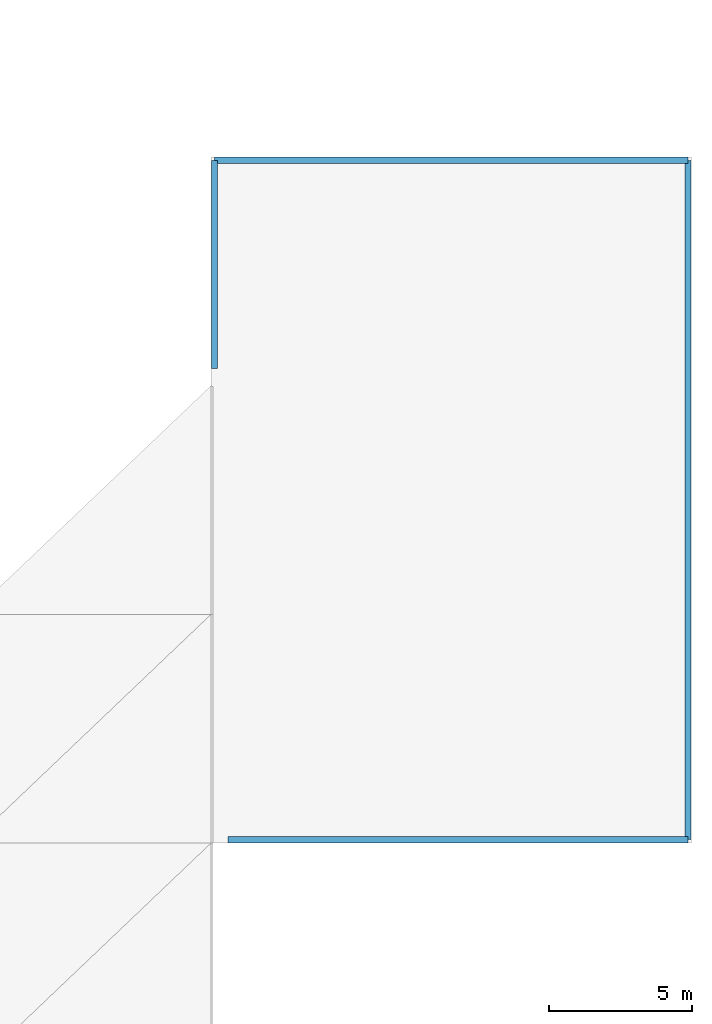
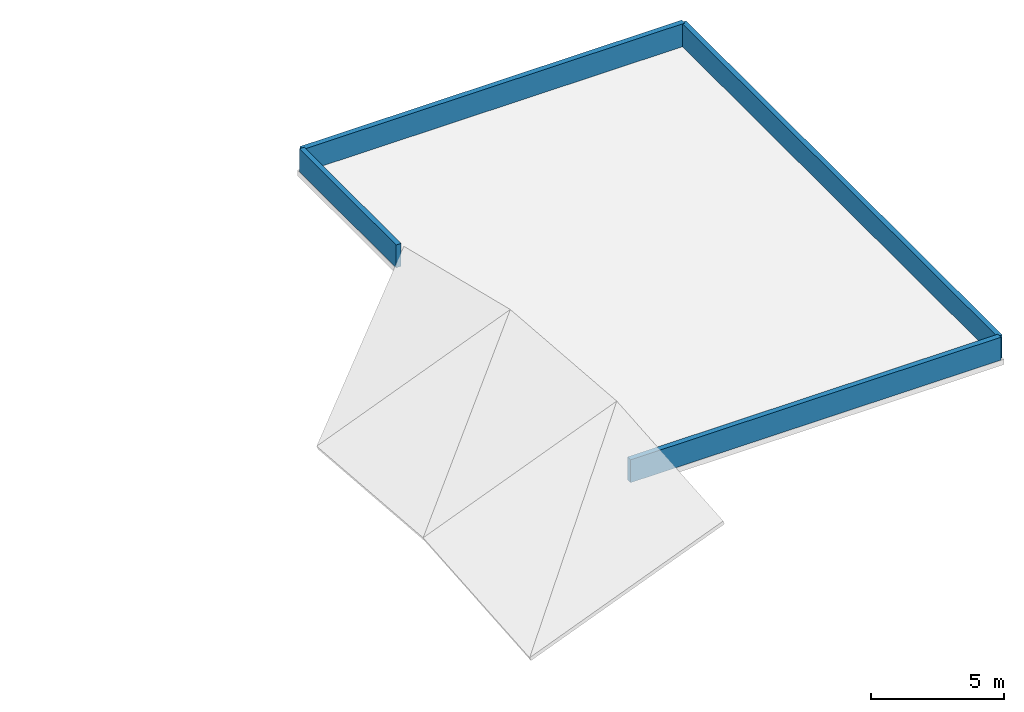
# One storey, part 20 of 25: 4 walls.
"""IFC4 building model written with IfcOpenShell, lengths in metres."""

from ifc_helpers import new_model, si_unit, direction, frame, frame_2d, origin, place, context, subcontext, project, spatial, rectangle, extrude, material, layer, layer_set, type_object, element, save


model = new_model("IFC4")

# Units and contexts
model_context = context("Model", 3, precision=1e-05, world=origin(), true_north=direction((0.0, 1.0)))
body_context = subcontext(model_context, "Body", "Model", "MODEL_VIEW")
ifc_project = project(units=[si_unit("LENGTHUNIT", "METRE"), si_unit("AREAUNIT", "SQUARE_METRE"), si_unit("VOLUMEUNIT", "CUBIC_METRE"), si_unit("PLANEANGLEUNIT", "RADIAN"), si_unit("MASSUNIT", "GRAM", prefix="KILO")], contexts=[model_context])

# Site, building, storey
site_placement = place(None, origin())
site = spatial("IfcSite", under=ifc_project, at=site_placement, CompositionType="ELEMENT")
building_placement = place(site_placement, origin())
building = spatial("IfcBuilding", under=site, at=building_placement, Name="Kranzveld Transit Interchange", CompositionType="ELEMENT")
storey_placement = place(building_placement, frame((0.0, 0.0, 21.0400390625)))
storey = spatial("IfcBuildingStorey", under=building, at=storey_placement, Name="L05", CompositionType="ELEMENT", Elevation=21.0400390625)

# Walls
ifc_material_1 = material(Name="Pretoria red-purple clinker clay face brick, 35 MPa", Category="masonry")
ifc_layer_1 = layer(ifc_material_1, 0.22998046875)
ifc_layer_set_1 = layer_set([ifc_layer_1], Name="Pretoria red-purple clinker clay face brick, 35 MPa")
wall_type_1 = type_object("IfcWallType", Name="Roof Parapet Wall Clinker Brick 230", PredefinedType="PARAPET", material=ifc_layer_set_1)
wall_1_placement = place(storey_placement, frame((117.47998046875, 72.1201171875, 0.0), z_axis=(0.0, 0.0, 1.0), x_axis=(-1.0, 0.0, 0.0)))
element("IfcWall", 1, at=wall_1_placement, inside=storey, type_object=wall_type_1, Name="L05 Roof Parapet 052", PredefinedType="PARAPET", context=body_context, shape_type="SweptSolid", body=[
    extrude(rectangle(XDim=16.080078125, YDim=0.22998046875, at=frame_2d((8.0400390625, 0.0))), origin(), (0.0, 0.0, 1.0), 1.050048828125),
])
wall_2_placement = place(storey_placement, frame((100.919921875, 95.8798828125, 0.0), z_axis=(0.0, 0.0, 1.0), x_axis=(1.0, 0.0, 0.0)))
element("IfcWall", 2, at=wall_2_placement, inside=storey, type_object=wall_type_1, Name="L05 Roof Parapet 054", PredefinedType="PARAPET", context=body_context, shape_type="SweptSolid", body=[
    extrude(rectangle(XDim=16.56005859375, YDim=0.22998046875, at=frame_2d((8.280029296875, 0.0))), origin(), (0.0, 0.0, 1.0), 1.050048828125),
])
ifc_material_2 = material(Name="Dark Pretoria clinker clay plinth brick, 40 MPa", Category="masonry")
ifc_layer_2 = layer(ifc_material_2, 0.215087890625)
ifc_layer_set_2 = layer_set([ifc_layer_2], Name="Dark Pretoria clinker clay plinth brick, 40 MPa")
wall_type_2 = type_object("IfcWallType", Name="Terrace Parapet Upstand Brick 215", PredefinedType="PARAPET", material=ifc_layer_set_2)
wall_3_placement = place(storey_placement, frame((117.47998046875, 95.8798828125, 0.0), z_axis=(0.0, 0.0, 1.0), x_axis=(0.0, -1.0, 0.0)))
element("IfcWall", 3, at=wall_3_placement, inside=storey, type_object=wall_type_2, Name="L05 Roof Parapet 051", PredefinedType="PARAPET", context=body_context, shape_type="SweptSolid", body=[
    extrude(rectangle(XDim=23.759765625, YDim=0.215087890625, at=frame_2d((11.8798828125, 0.0))), origin(), (0.0, 0.0, 1.0), 1.050048828125),
])
wall_4_placement = place(storey_placement, frame((100.919921875, 88.60009765625, 0.0), z_axis=(0.0, 0.0, 1.0), x_axis=(0.0, 1.0, 0.0)))
element("IfcWall", 4, at=wall_4_placement, inside=storey, type_object=wall_type_2, Name="L05 Roof Parapet 053", PredefinedType="PARAPET", context=body_context, shape_type="SweptSolid", body=[
    extrude(rectangle(XDim=7.27978515625, YDim=0.215087890625, at=frame_2d((3.639892578125, 0.0))), origin(), (0.0, 0.0, 1.0), 1.050048828125),
])

save(model, "model.ifc")
